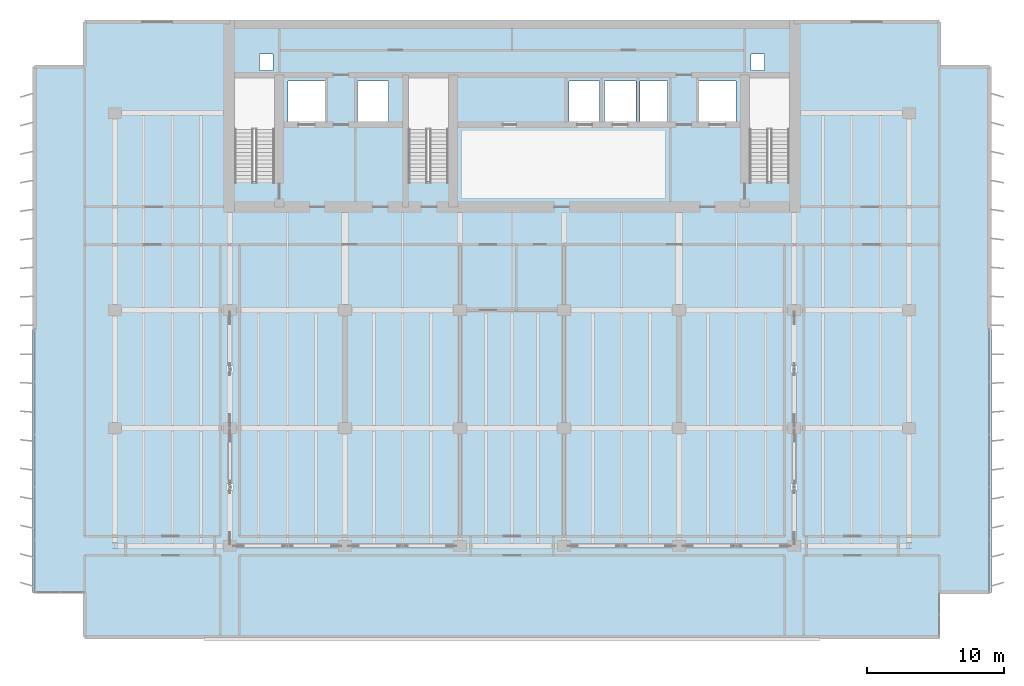
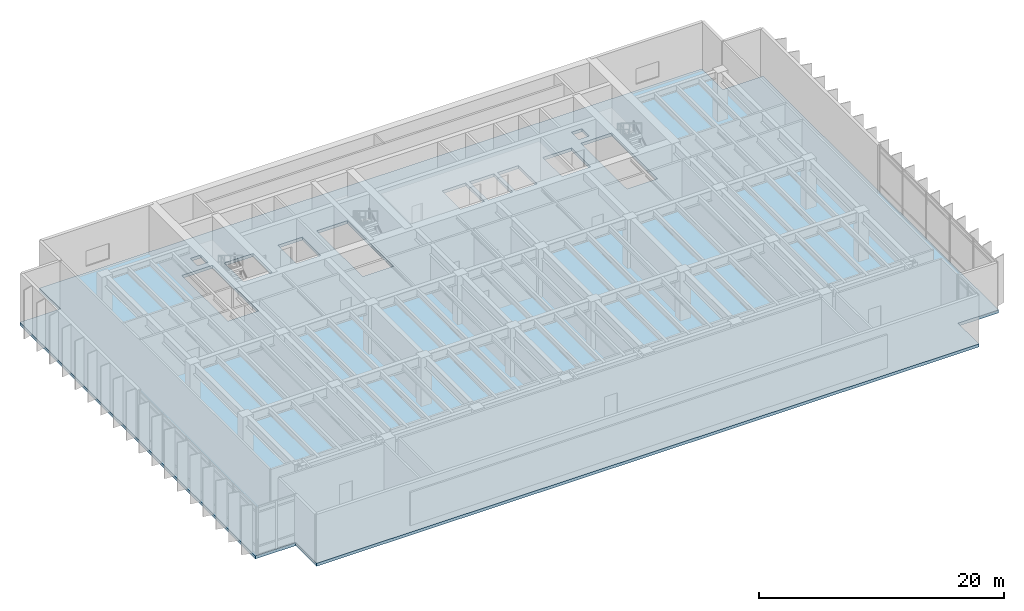
# One storey, part 11 of 18: 1 slab.
"""IFC4 building model written with IfcOpenShell, lengths in metres."""

from ifc_helpers import new_model, si_unit, direction, frame, origin, place, context, subcontext, project, spatial, polyline, outline, extrude, material, layer, layer_set, type_object, element, save


model = new_model("IFC4")

# Units and contexts
model_context = context("Model", 3, precision=1e-05, world=origin(), true_north=direction((0.0, 1.0)))
body_context = subcontext(model_context, "Body", "Model", "MODEL_VIEW")
ifc_project = project(units=[si_unit("LENGTHUNIT", "METRE"), si_unit("AREAUNIT", "SQUARE_METRE"), si_unit("VOLUMEUNIT", "CUBIC_METRE"), si_unit("PLANEANGLEUNIT", "RADIAN"), si_unit("MASSUNIT", "GRAM", prefix="KILO")], contexts=[model_context])

# Site, building, storey
site_placement = place(None, origin())
site = spatial("IfcSite", under=ifc_project, at=site_placement, CompositionType="ELEMENT")
building_placement = place(site_placement, origin())
building = spatial("IfcBuilding", under=site, at=building_placement, Name="Caelmar Bay Residences", CompositionType="ELEMENT")
storey_placement = place(building_placement, frame((0.0, 0.0, 152.10009765625)))
storey = spatial("IfcBuildingStorey", under=building, at=storey_placement, Name="L42", CompositionType="ELEMENT", Elevation=152.10009765625)

# Slab
ifc_material = material(Name="Concrete f'c 40 MPa (6,000 psi)", Category="concrete")
ifc_layer = layer(ifc_material, 0.300048828125)
ifc_layer_set = layer_set([ifc_layer], Name="Concrete f'c 40 MPa (6,000 psi)")
slab_type = type_object("IfcSlabType", Name="SLB-POD-300", PredefinedType="FLOOR", material=ifc_layer_set)
slab_placement = place(storey_placement, frame((0.0, 0.0, -0.300048828125)))
element("IfcSlab", 1, at=slab_placement, inside=storey, type_object=slab_type, Name="L42 Structural Floor Slab", PredefinedType="FLOOR", context=body_context, shape_type="SweptSolid", body=[
    extrude(outline(polyline([(7.699951171875, 5.39990234375), (70.10009765625, 5.39990234375), (70.10009765625, 8.800048828125), (73.89990234375, 8.800048828125), (73.89990234375, 47.199951171875), (70.10009765625, 47.199951171875), (70.10009765625, 50.60009765625), (7.699951171875, 50.60009765625), (7.699951171875, 47.199951171875), (3.89990234375, 47.199951171875), (3.89990234375, 8.800048828125), (7.699951171875, 8.800048828125), (7.699951171875, 5.39990234375)]), holes=[polyline([(18.64990234375, 38.85009765625), (21.550048828125, 38.85009765625), (21.550048828125, 46.35009765625), (18.64990234375, 46.35009765625), (18.64990234375, 38.85009765625)]), polyline([(56.25, 38.85009765625), (59.14990234375, 38.85009765625), (59.14990234375, 46.35009765625), (56.25, 46.35009765625), (56.25, 38.85009765625)]), polyline([(31.35009765625, 38.85009765625), (34.25, 38.85009765625), (34.25, 46.35009765625), (31.35009765625, 46.35009765625), (31.35009765625, 38.85009765625)]), polyline([(22.550048828125, 43.050048828125), (25.25, 43.050048828125), (25.25, 46.14990234375), (22.550048828125, 46.14990234375), (22.550048828125, 43.050048828125)]), polyline([(52.550048828125, 43.050048828125), (55.25, 43.050048828125), (55.25, 46.14990234375), (52.550048828125, 46.14990234375), (52.550048828125, 43.050048828125)]), polyline([(43.050048828125, 43.14990234375), (45.300048828125, 43.14990234375), (45.300048828125, 46.14990234375), (43.050048828125, 46.14990234375), (43.050048828125, 43.14990234375)]), polyline([(45.64990234375, 43.14990234375), (47.949951171875, 43.14990234375), (47.949951171875, 46.14990234375), (45.64990234375, 46.14990234375), (45.64990234375, 43.14990234375)]), polyline([(48.25, 43.14990234375), (50.25, 43.14990234375), (50.25, 46.14990234375), (48.25, 46.14990234375), (48.25, 43.14990234375)]), polyline([(27.60009765625, 43.14990234375), (29.89990234375, 43.14990234375), (29.89990234375, 46.14990234375), (27.60009765625, 46.14990234375), (27.60009765625, 43.14990234375)]), polyline([(20.449951171875, 46.89990234375), (21.449951171875, 46.89990234375), (21.449951171875, 48.10009765625), (20.449951171875, 48.10009765625), (20.449951171875, 46.89990234375)]), polyline([(56.35009765625, 46.89990234375), (57.35009765625, 46.89990234375), (57.35009765625, 48.10009765625), (56.35009765625, 48.10009765625), (56.35009765625, 46.89990234375)])]), origin(), (0.0, 0.0, 1.0), 0.300048828125),
])

save(model, "model.ifc")
